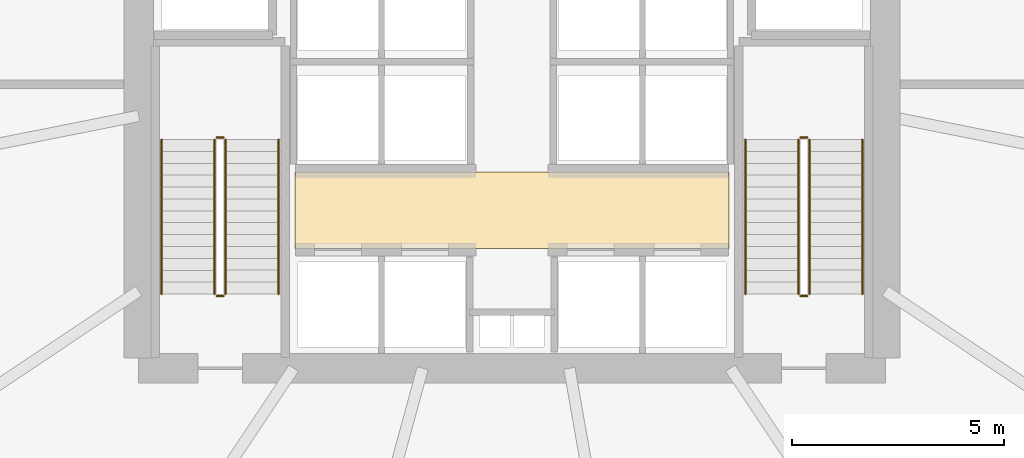
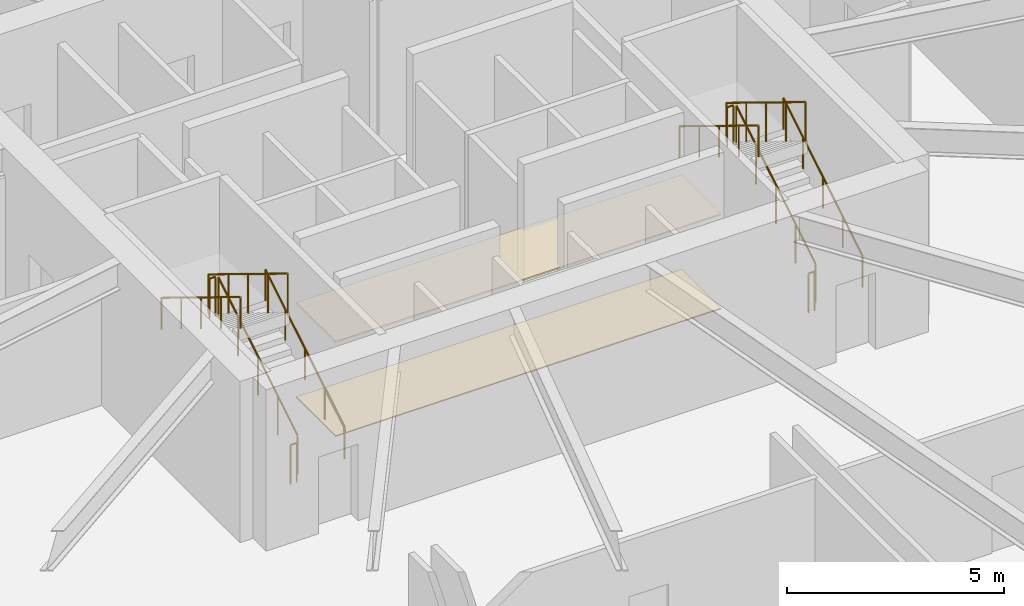
# One storey, part 31 of 34: 12 railings, 2 coverings.
"""IFC4 building model written with IfcOpenShell, lengths in metres."""

import ifcopenshell
import ifcopenshell.guid

model = None  # the IFC model being written
_history = None  # IfcOwnerHistory: only IFC2X3 demands one
_inside = {}  # id of a spatial element -> (the spatial element, [elements in it])
_under = {}  # id of a project, library or spatial element -> (it, [spatial elements below it])
_declared = {}  # id of a project -> (the project, [libraries it declares])
_typed = {}  # id of a type object -> (the type object, [elements of that type])
_made_of = {}  # id of a material, layer set ... -> (it, [elements and type objects made of it])


def new_model(schema):
    """Start an empty IFC model of exactly this schema.

    Asked for "IFC4X3", IfcOpenShell would pick the latest addendum, in which some entities
    have other attributes; the version numbers below select the first issue.
    IFC2X3 requires an IfcOwnerHistory on every rooted entity: one is made here for all.
    """
    global model, _history
    if schema == "IFC4X3":
        model = ifcopenshell.file(schema_version=(4, 3, 0, 0))
    else:
        model = ifcopenshell.file(schema=schema)
    _inside.clear()
    _under.clear()
    _declared.clear()
    _typed.clear()
    _made_of.clear()
    _history = None
    if model.schema == "IFC2X3":
        org = make("IfcOrganization", Name="unknown")
        user = make(
            "IfcPersonAndOrganization",
            ThePerson=make("IfcPerson", FamilyName="unknown"),
            TheOrganization=org,
        )
        app = make(
            "IfcApplication",
            ApplicationDeveloper=org,
            Version="unknown",
            ApplicationFullName="unknown",
            ApplicationIdentifier="unknown",
        )
        _history = make(
            "IfcOwnerHistory",
            OwningUser=user,
            OwningApplication=app,
            ChangeAction="ADDED",
            CreationDate=0,
        )
    return model


def make(cls, **values):
    """One entity of the class cls with the attributes given. An attribute that is None is left unset."""
    return model.create_entity(
        cls, **{name: value for name, value in values.items() if value is not None}
    )


def rooted(cls, **values):
    """An entity with a GlobalId (a new one), such as an element, a storey or a relation."""
    return make(cls, GlobalId=ifcopenshell.guid.new(), OwnerHistory=_history, **values)


def si_unit(unit_type, name, prefix=None):
    """IfcSIUnit, for example si_unit("LENGTHUNIT", "METRE", prefix="MILLI")."""
    return make("IfcSIUnit", UnitType=unit_type, Prefix=prefix, Name=name)


def assignment(units):
    """IfcUnitAssignment: the units of a project."""
    return None if units is None else make("IfcUnitAssignment", Units=units)


def point(xyz):
    """IfcCartesianPoint."""
    return None if xyz is None else make("IfcCartesianPoint", Coordinates=xyz)


def direction(xyz):
    """IfcDirection."""
    return None if xyz is None else make("IfcDirection", DirectionRatios=xyz)


def frame(location, z_axis=None, x_axis=None):
    """IfcAxis2Placement3D, a coordinate frame: its origin and axes. An axis left out is left unset."""
    return make(
        "IfcAxis2Placement3D",
        Location=point(location),
        Axis=direction(z_axis),
        RefDirection=direction(x_axis),
    )


def frame_2d(location, x_axis=None):
    """IfcAxis2Placement2D, a coordinate frame in the plane: its origin and x axis."""
    return make(
        "IfcAxis2Placement2D", Location=point(location), RefDirection=direction(x_axis)
    )


def origin():
    """The frame at (0, 0, 0) with its axes left unset."""
    return frame((0.0, 0.0, 0.0))


def origin_2d():
    """The frame at (0, 0) in the plane with its x axis left unset."""
    return frame_2d((0.0, 0.0))


def place(relative_to, where):
    """IfcLocalPlacement: puts the frame where relative to a parent placement (None: the world)."""
    return make(
        "IfcLocalPlacement", PlacementRelTo=relative_to, RelativePlacement=where
    )


def context(
    kind, dimensions, precision=None, world=None, true_north=None, identifier=None
):
    """IfcGeometricRepresentationContext, for example the 3D "Model" context."""
    return make(
        "IfcGeometricRepresentationContext",
        ContextIdentifier=identifier,
        ContextType=kind,
        CoordinateSpaceDimension=dimensions,
        Precision=precision,
        WorldCoordinateSystem=world,
        TrueNorth=true_north,
    )


def subcontext(parent, identifier, kind, view, scale=None):
    """IfcGeometricRepresentationSubContext, for example "Body" below "Model"."""
    return make(
        "IfcGeometricRepresentationSubContext",
        ContextIdentifier=identifier,
        ContextType=kind,
        ParentContext=parent,
        TargetScale=scale,
        TargetView=view,
    )


def project(units=None, contexts=None):
    """IfcProject with its units and contexts."""
    return rooted(
        "IfcProject",
        Name="project",
        RepresentationContexts=contexts,
        UnitsInContext=assignment(units),
    )


def spatial(cls, under=None, at=None, **own):
    """A site, building, storey or space (cls), placed at a placement, below another one or the project."""
    s = rooted(cls, ObjectPlacement=at, **own)
    if under is not None:
        _under.setdefault(under.id(), (under, []))[1].append(s)
    return s


def polyline(points):
    """IfcPolyline through the points."""
    return make("IfcPolyline", Points=[point(p) for p in points])


def profile(cls, at=None, kind="AREA", **sizes):
    """A parametric profile (cls). Its sizes go by their IFC names, for example OverallWidth=200.0."""
    return make(cls, ProfileType=kind, Position=at, **sizes)


def circle(**sizes):
    """IfcCircleProfileDef."""
    return profile("IfcCircleProfileDef", **sizes)


def outline(outer, holes=None, kind="AREA"):
    """IfcArbitraryClosedProfileDef: a profile drawn as a closed curve; with holes, ...WithVoids."""
    if holes is None:
        return make("IfcArbitraryClosedProfileDef", ProfileType=kind, OuterCurve=outer)
    return make(
        "IfcArbitraryProfileDefWithVoids",
        ProfileType=kind,
        OuterCurve=outer,
        InnerCurves=holes,
    )


def extrude(swept, where, along, depth):
    """IfcExtrudedAreaSolid: the profile swept, set in the frame where, extruded along a direction by depth."""
    return make(
        "IfcExtrudedAreaSolid",
        SweptArea=swept,
        Position=where,
        ExtrudedDirection=direction(along),
        Depth=depth,
    )


def shape(context_of_items, identifier, shape_type, items):
    """IfcShapeRepresentation: the items that make up one representation, for example the "Body"."""
    return make(
        "IfcShapeRepresentation",
        ContextOfItems=context_of_items,
        RepresentationIdentifier=identifier,
        RepresentationType=shape_type,
        Items=items,
    )


def material(Name=None, Category=None):
    """IfcMaterial."""
    return make("IfcMaterial", Name=Name, Category=Category)


def layer(
    of_material, thickness, ventilated=None, Name=None, Category=None, Priority=None
):
    """IfcMaterialLayer: one layer of a wall or slab, of a material (None: an air gap)."""
    return make(
        "IfcMaterialLayer",
        Material=of_material,
        LayerThickness=thickness,
        IsVentilated=ventilated,
        Name=Name,
        Category=Category,
        Priority=Priority,
    )


def layer_set(layers, Name=None):
    """IfcMaterialLayerSet."""
    return make("IfcMaterialLayerSet", MaterialLayers=layers, LayerSetName=Name)


def made_of(thing, what):
    """Note that an element or type object is made of a material, layer set ...; save() writes the relation."""
    if what is not None:
        _made_of.setdefault(what.id(), (what, []))[1].append(thing)
    return thing


def type_object(cls, material=None, **own):
    """A type object (cls), such as IfcWallType, which elements share."""
    return made_of(rooted(cls, **own), material)


def element(
    cls,
    number,
    at=None,
    inside=None,
    cuts=None,
    type_object=None,
    material=None,
    context=None,
    identifier="Body",
    shape_type=None,
    held_by="IfcProductDefinitionShape",
    body=None,
    shapes=None,
    **own,
):
    """One element of the class cls, such as IfcWall. Its Tag is "e" and its number.

    at: its placement. inside: the storey or other place that contains it. cuts: it is an
    opening in that element (IfcRelVoidsElement). A single representation is given by context,
    identifier, shape_type and body (its items); several are given by shapes. held_by: the class
    of the entity that holds the representations. save() writes the other relations.
    """
    e = rooted(cls, Tag="e%d" % number, ObjectPlacement=at, **own)
    if body is not None:
        shapes = [shape(context, identifier, shape_type, body)]
    if shapes is not None:
        e.Representation = make(held_by, Representations=shapes)
    if inside is not None:
        _inside.setdefault(inside.id(), (inside, []))[1].append(e)
    if cuts is not None:
        rooted(
            "IfcRelVoidsElement", RelatingBuildingElement=cuts, RelatedOpeningElement=e
        )
    if type_object is not None:
        _typed.setdefault(type_object.id(), (type_object, []))[1].append(e)
    return made_of(e, material)


def aggregate(whole, parts):
    """IfcRelAggregates: a whole, such as a stair, and the parts it consists of."""
    return rooted("IfcRelAggregates", RelatingObject=whole, RelatedObjects=parts)


def save(model, path):
    """Write the relations noted so far, then the file.

    IfcRelAggregates (storeys below a building ...), IfcRelContainedInSpatialStructure (elements
    in a storey), IfcRelDefinesByType, IfcRelAssociatesMaterial and IfcRelDeclares: one each for
    every whole, place, type object, material and project.
    """
    for whole, parts in _under.values():
        aggregate(whole, parts)
    for where, things in _inside.values():
        rooted(
            "IfcRelContainedInSpatialStructure",
            RelatedElements=things,
            RelatingStructure=where,
        )
    for kind, things in _typed.values():
        rooted("IfcRelDefinesByType", RelatedObjects=things, RelatingType=kind)
    for what, things in _made_of.values():
        rooted("IfcRelAssociatesMaterial", RelatedObjects=things, RelatingMaterial=what)
    for by, libraries in _declared.values():
        rooted("IfcRelDeclares", RelatingContext=by, RelatedDefinitions=libraries)
    model.write(path)


model = new_model("IFC4")

# Units and contexts
model_context = context("Model", 3, precision=1e-05, world=origin(), true_north=direction((0.0, 1.0)))
body_context = subcontext(model_context, "Body", "Model", "MODEL_VIEW")
ifc_project = project(units=[si_unit("LENGTHUNIT", "METRE"), si_unit("AREAUNIT", "SQUARE_METRE"), si_unit("VOLUMEUNIT", "CUBIC_METRE"), si_unit("PLANEANGLEUNIT", "RADIAN"), si_unit("MASSUNIT", "GRAM", prefix="KILO"), si_unit("THERMODYNAMICTEMPERATUREUNIT", "KELVIN")], contexts=[model_context])

# Site, building, storey
site_placement = place(None, origin())
site = spatial("IfcSite", under=ifc_project, at=site_placement, CompositionType="ELEMENT")
building_placement = place(site_placement, origin())
building = spatial("IfcBuilding", under=site, at=building_placement, Name="Kethvar Cultural Tower", CompositionType="ELEMENT")
storey_placement = place(building_placement, frame((0.0, 0.0, 14.800048828125)))
storey = spatial("IfcBuildingStorey", under=building, at=storey_placement, Name="L03", CompositionType="ELEMENT", Elevation=14.800048828125)

# Coverings
ifc_material_1 = material(Name="Acoustic Mineral Fibre Ceiling")
ifc_layer_1 = layer(ifc_material_1, 0.0400390625, Name="Acoustic Mineral Fibre Ceiling")
ifc_layer_set_1 = layer_set([ifc_layer_1], Name="Acoustic Mineral Fibre Ceiling (40 mm)")
covering_type_1 = type_object("IfcCoveringType", Name="CV-ACOUSTIC-CEIL", PredefinedType="CEILING", material=ifc_layer_set_1)
covering_1_placement = place(storey_placement, frame((0.0, 0.0, 2.639892578125)))
element("IfcCovering", 1, at=covering_1_placement, inside=storey, type_object=covering_type_1, Name="L03 Lift Lobby Acoustic Ceiling", PredefinedType="CEILING", context=body_context, shape_type="SweptSolid", body=[
    extrude(outline(polyline([(41.679931640625, 22.919921875), (51.919921875, 22.919921875), (51.919921875, 24.72998046875), (41.679931640625, 24.72998046875), (41.679931640625, 22.919921875)])), origin(), (0.0, 0.0, 1.0), 0.0400390625),
])
ifc_material_2 = material(Name="Honed Warm Limestone", Category="masonry")
ifc_layer_2 = layer(ifc_material_2, 0.030029296875, Name="Honed Warm Limestone", Category="masonry")
ifc_layer_set_2 = layer_set([ifc_layer_2], Name="Honed Warm Limestone (30 mm)")
covering_type_2 = type_object("IfcCoveringType", Name="CV-STONE-FLOOR", PredefinedType="FLOORING", material=ifc_layer_set_2)
covering_2_placement = place(storey_placement, origin())
element("IfcCovering", 2, at=covering_2_placement, inside=storey, type_object=covering_type_2, Name="L03 Lift Lobby Floor Finish", PredefinedType="FLOORING", context=body_context, shape_type="SweptSolid", body=[
    extrude(outline(polyline([(41.679931640625, 22.919921875), (51.919921875, 22.919921875), (51.919921875, 24.72998046875), (41.679931640625, 24.72998046875), (41.679931640625, 22.919921875)])), origin(), (0.0, 0.0, 1.0), 0.030029296875),
])

# Railings
ifc_material_3 = material(Name="Steel S355J2", Category="steel")
railing_type_1 = type_object("IfcRailingType", Name="RL-STAIR-GUARD", PredefinedType="BALUSTRADE", material=ifc_material_3)
railing_1_placement = place(storey_placement, frame((40.050048828125, 21.85009765625, 0.17138671875)))
element("IfcRailing", 3, at=railing_1_placement, inside=storey, type_object=railing_type_1, Name="L03 ST-01 stair guard 1", PredefinedType="BALUSTRADE", context=body_context, shape_type="SweptSolid", body=[
    extrude(circle(Radius=0.02392578125, at=origin_2d()), frame((0.0, 0.0, 1.09619140625), z_axis=(0.0, 0.852850264322, 0.5221555579), x_axis=(-1.0, 0.0, 0.0)), (0.0, 0.0, 1.0), 4.267822265625),
    extrude(circle(Radius=0.02099609375, at=origin_2d()), origin(), (0.0, 0.0, 1.0), 1.072021484375),
    extrude(circle(Radius=0.02099609375, at=origin_2d()), frame((0.0, 0.909912109375, 0.55712890625)), (0.0, 0.0, 1.0), 1.072021484375),
    extrude(circle(Radius=0.02099609375, at=origin_2d()), frame((0.0, 1.81982421875, 1.1142578125)), (0.0, 0.0, 1.0), 1.072021484375),
    extrude(circle(Radius=0.02099609375, at=origin_2d()), frame((0.0, 2.72998046875, 1.67138671875)), (0.0, 0.0, 1.0), 1.072021484375),
    extrude(circle(Radius=0.02099609375, at=origin_2d()), frame((0.0, 3.639892578125, 2.228515625)), (0.0, 0.0, 1.0), 1.072021484375),
])
railing_2_placement = place(storey_placement, frame((40.0, 25.5400390625, 2.39990234375)))
element("IfcRailing", 4, at=railing_2_placement, inside=storey, type_object=railing_type_1, Name="L03 ST-01 stair guard 2", PredefinedType="BALUSTRADE", context=body_context, shape_type="SweptSolid", body=[
    extrude(circle(Radius=0.02392578125, at=origin_2d()), frame((0.0, 0.0, 1.09619140625), z_axis=(-1.0, 0.0, 0.0), x_axis=(0.0, -1.0, 0.0)), (0.0, 0.0, 1.0), 0.159912109375),
    extrude(circle(Radius=0.02099609375, at=origin_2d()), origin(), (0.0, 0.0, 1.0), 1.072021484375),
    extrude(circle(Radius=0.02099609375, at=origin_2d()), frame((-0.159912109375, 0.0, 0.0)), (0.0, 0.0, 1.0), 1.072021484375),
])
railing_3_placement = place(storey_placement, frame((39.7900390625, 25.489990234375, 2.5712890625)))
element("IfcRailing", 5, at=railing_3_placement, inside=storey, type_object=railing_type_1, Name="L03 ST-01 stair guard 3", PredefinedType="BALUSTRADE", context=body_context, shape_type="SweptSolid", body=[
    extrude(circle(Radius=0.02392578125, at=origin_2d()), frame((0.0, 0.0, 1.09619140625), z_axis=(0.0, -0.852824790078, 0.522197163366), x_axis=(1.0, 0.0, 0.0)), (0.0, 0.0, 1.0), 4.26806640625),
    extrude(circle(Radius=0.02099609375, at=origin_2d()), origin(), (0.0, 0.0, 1.0), 1.072021484375),
    extrude(circle(Radius=0.02099609375, at=origin_2d()), frame((0.0, -0.909912109375, 0.55712890625)), (0.0, 0.0, 1.0), 1.072021484375),
    extrude(circle(Radius=0.02099609375, at=origin_2d()), frame((0.0, -1.81982421875, 1.1142578125)), (0.0, 0.0, 1.0), 1.072021484375),
    extrude(circle(Radius=0.02099609375, at=origin_2d()), frame((0.0, -2.72998046875, 1.671630859375)), (0.0, 0.0, 1.0), 1.072021484375),
    extrude(circle(Radius=0.02099609375, at=origin_2d()), frame((0.0, -3.639892578125, 2.228759765625)), (0.0, 0.0, 1.0), 1.072021484375),
])
railing_4_placement = place(storey_placement, frame((40.0, 21.800048828125, 0.0)))
element("IfcRailing", 6, at=railing_4_placement, inside=storey, type_object=railing_type_1, Name="L03 ST-01 stair guard 4", PredefinedType="BALUSTRADE", context=body_context, shape_type="SweptSolid", body=[
    extrude(circle(Radius=0.02392578125, at=origin_2d()), frame((0.0, 0.0, 1.09619140625), z_axis=(-1.0, 0.0, 0.0), x_axis=(0.0, -1.0, 0.0)), (0.0, 0.0, 1.0), 0.159912109375),
    extrude(circle(Radius=0.02099609375, at=origin_2d()), origin(), (0.0, 0.0, 1.0), 1.072021484375),
    extrude(circle(Radius=0.02099609375, at=origin_2d()), frame((-0.159912109375, 0.0, 0.0)), (0.0, 0.0, 1.0), 1.072021484375),
])
railing_5_placement = place(storey_placement, frame((53.81005859375, 21.85009765625, 0.17138671875)))
element("IfcRailing", 7, at=railing_5_placement, inside=storey, type_object=railing_type_1, Name="L03 ST-02 stair guard 1", PredefinedType="BALUSTRADE", context=body_context, shape_type="SweptSolid", body=[
    extrude(circle(Radius=0.02392578125, at=origin_2d()), frame((0.0, 0.0, 1.09619140625), z_axis=(0.0, 0.852850264322, 0.5221555579), x_axis=(-1.0, 0.0, 0.0)), (0.0, 0.0, 1.0), 4.267822265625),
    extrude(circle(Radius=0.02099609375, at=origin_2d()), origin(), (0.0, 0.0, 1.0), 1.072021484375),
    extrude(circle(Radius=0.02099609375, at=origin_2d()), frame((0.0, 0.909912109375, 0.55712890625)), (0.0, 0.0, 1.0), 1.072021484375),
    extrude(circle(Radius=0.02099609375, at=origin_2d()), frame((0.0, 1.81982421875, 1.1142578125)), (0.0, 0.0, 1.0), 1.072021484375),
    extrude(circle(Radius=0.02099609375, at=origin_2d()), frame((0.0, 2.72998046875, 1.67138671875)), (0.0, 0.0, 1.0), 1.072021484375),
    extrude(circle(Radius=0.02099609375, at=origin_2d()), frame((0.0, 3.639892578125, 2.228515625)), (0.0, 0.0, 1.0), 1.072021484375),
])
railing_6_placement = place(storey_placement, frame((53.760009765625, 25.5400390625, 2.39990234375)))
element("IfcRailing", 8, at=railing_6_placement, inside=storey, type_object=railing_type_1, Name="L03 ST-02 stair guard 2", PredefinedType="BALUSTRADE", context=body_context, shape_type="SweptSolid", body=[
    extrude(circle(Radius=0.02392578125, at=origin_2d()), frame((0.0, 0.0, 1.09619140625), z_axis=(-1.0, 0.0, 0.0), x_axis=(0.0, -1.0, 0.0)), (0.0, 0.0, 1.0), 0.159912109375),
    extrude(circle(Radius=0.02099609375, at=origin_2d()), origin(), (0.0, 0.0, 1.0), 1.072021484375),
    extrude(circle(Radius=0.02099609375, at=origin_2d()), frame((-0.159912109375, 0.0, 0.0)), (0.0, 0.0, 1.0), 1.072021484375),
])
railing_7_placement = place(storey_placement, frame((53.550048828125, 25.489990234375, 2.5712890625)))
element("IfcRailing", 9, at=railing_7_placement, inside=storey, type_object=railing_type_1, Name="L03 ST-02 stair guard 3", PredefinedType="BALUSTRADE", context=body_context, shape_type="SweptSolid", body=[
    extrude(circle(Radius=0.02392578125, at=origin_2d()), frame((0.0, 0.0, 1.09619140625), z_axis=(0.0, -0.852824790078, 0.522197163366), x_axis=(1.0, 0.0, 0.0)), (0.0, 0.0, 1.0), 4.26806640625),
    extrude(circle(Radius=0.02099609375, at=origin_2d()), origin(), (0.0, 0.0, 1.0), 1.072021484375),
    extrude(circle(Radius=0.02099609375, at=origin_2d()), frame((0.0, -0.909912109375, 0.55712890625)), (0.0, 0.0, 1.0), 1.072021484375),
    extrude(circle(Radius=0.02099609375, at=origin_2d()), frame((0.0, -1.81982421875, 1.1142578125)), (0.0, 0.0, 1.0), 1.072021484375),
    extrude(circle(Radius=0.02099609375, at=origin_2d()), frame((0.0, -2.72998046875, 1.671630859375)), (0.0, 0.0, 1.0), 1.072021484375),
    extrude(circle(Radius=0.02099609375, at=origin_2d()), frame((0.0, -3.639892578125, 2.228759765625)), (0.0, 0.0, 1.0), 1.072021484375),
])
railing_8_placement = place(storey_placement, frame((53.760009765625, 21.800048828125, 0.0)))
element("IfcRailing", 10, at=railing_8_placement, inside=storey, type_object=railing_type_1, Name="L03 ST-02 stair guard 4", PredefinedType="BALUSTRADE", context=body_context, shape_type="SweptSolid", body=[
    extrude(circle(Radius=0.02392578125, at=origin_2d()), frame((0.0, 0.0, 1.09619140625), z_axis=(-1.0, 0.0, 0.0), x_axis=(0.0, -1.0, 0.0)), (0.0, 0.0, 1.0), 0.159912109375),
    extrude(circle(Radius=0.02099609375, at=origin_2d()), origin(), (0.0, 0.0, 1.0), 1.072021484375),
    extrude(circle(Radius=0.02099609375, at=origin_2d()), frame((-0.159912109375, 0.0, 0.0)), (0.0, 0.0, 1.0), 1.072021484375),
])
railing_type_2 = type_object("IfcRailingType", Name="RL-STAIR-HANDRAIL", PredefinedType="HANDRAIL", material=ifc_material_3)
railing_9_placement = place(storey_placement, frame((41.300048828125, 21.85009765625, 0.17138671875)))
element("IfcRailing", 11, at=railing_9_placement, inside=storey, type_object=railing_type_2, Name="L03 ST-01 stair handrail 1", PredefinedType="HANDRAIL", context=body_context, shape_type="SweptSolid", body=[
    extrude(circle(Radius=0.02392578125, at=origin_2d()), frame((0.0, 0.0, 0.8759765625), z_axis=(0.0, 0.852850264322, 0.5221555579), x_axis=(-1.0, 0.0, 0.0)), (0.0, 0.0, 1.0), 4.267822265625),
    extrude(circle(Radius=0.02099609375, at=origin_2d()), origin(), (0.0, 0.0, 1.0), 0.851806640625),
    extrude(circle(Radius=0.02099609375, at=origin_2d()), frame((0.0, 0.909912109375, 0.55712890625)), (0.0, 0.0, 1.0), 0.851806640625),
    extrude(circle(Radius=0.02099609375, at=origin_2d()), frame((0.0, 1.81982421875, 1.1142578125)), (0.0, 0.0, 1.0), 0.851806640625),
    extrude(circle(Radius=0.02099609375, at=origin_2d()), frame((0.0, 2.72998046875, 1.67138671875)), (0.0, 0.0, 1.0), 0.851806640625),
    extrude(circle(Radius=0.02099609375, at=origin_2d()), frame((0.0, 3.639892578125, 2.228515625)), (0.0, 0.0, 1.0), 0.851806640625),
])
railing_10_placement = place(storey_placement, frame((38.5400390625, 25.489990234375, 2.5712890625)))
element("IfcRailing", 12, at=railing_10_placement, inside=storey, type_object=railing_type_2, Name="L03 ST-01 stair handrail 2", PredefinedType="HANDRAIL", context=body_context, shape_type="SweptSolid", body=[
    extrude(circle(Radius=0.02392578125, at=origin_2d()), frame((0.0, 0.0, 0.8759765625), z_axis=(0.0, -0.852824790078, 0.522197163366), x_axis=(1.0, 0.0, 0.0)), (0.0, 0.0, 1.0), 4.26806640625),
    extrude(circle(Radius=0.02099609375, at=origin_2d()), origin(), (0.0, 0.0, 1.0), 0.851806640625),
    extrude(circle(Radius=0.02099609375, at=origin_2d()), frame((0.0, -0.909912109375, 0.55712890625)), (0.0, 0.0, 1.0), 0.851806640625),
    extrude(circle(Radius=0.02099609375, at=origin_2d()), frame((0.0, -1.81982421875, 1.1142578125)), (0.0, 0.0, 1.0), 0.851806640625),
    extrude(circle(Radius=0.02099609375, at=origin_2d()), frame((0.0, -2.72998046875, 1.671630859375)), (0.0, 0.0, 1.0), 0.851806640625),
    extrude(circle(Radius=0.02099609375, at=origin_2d()), frame((0.0, -3.639892578125, 2.228759765625)), (0.0, 0.0, 1.0), 0.851806640625),
])
railing_11_placement = place(storey_placement, frame((55.06005859375, 21.85009765625, 0.17138671875)))
element("IfcRailing", 13, at=railing_11_placement, inside=storey, type_object=railing_type_2, Name="L03 ST-02 stair handrail 1", PredefinedType="HANDRAIL", context=body_context, shape_type="SweptSolid", body=[
    extrude(circle(Radius=0.02392578125, at=origin_2d()), frame((0.0, 0.0, 0.8759765625), z_axis=(0.0, 0.852850264322, 0.5221555579), x_axis=(-1.0, 0.0, 0.0)), (0.0, 0.0, 1.0), 4.267822265625),
    extrude(circle(Radius=0.02099609375, at=origin_2d()), origin(), (0.0, 0.0, 1.0), 0.851806640625),
    extrude(circle(Radius=0.02099609375, at=origin_2d()), frame((0.0, 0.909912109375, 0.55712890625)), (0.0, 0.0, 1.0), 0.851806640625),
    extrude(circle(Radius=0.02099609375, at=origin_2d()), frame((0.0, 1.81982421875, 1.1142578125)), (0.0, 0.0, 1.0), 0.851806640625),
    extrude(circle(Radius=0.02099609375, at=origin_2d()), frame((0.0, 2.72998046875, 1.67138671875)), (0.0, 0.0, 1.0), 0.851806640625),
    extrude(circle(Radius=0.02099609375, at=origin_2d()), frame((0.0, 3.639892578125, 2.228515625)), (0.0, 0.0, 1.0), 0.851806640625),
])
railing_12_placement = place(storey_placement, frame((52.300048828125, 25.489990234375, 2.5712890625)))
element("IfcRailing", 14, at=railing_12_placement, inside=storey, type_object=railing_type_2, Name="L03 ST-02 stair handrail 2", PredefinedType="HANDRAIL", context=body_context, shape_type="SweptSolid", body=[
    extrude(circle(Radius=0.02392578125, at=origin_2d()), frame((0.0, 0.0, 0.8759765625), z_axis=(0.0, -0.852824790078, 0.522197163366), x_axis=(1.0, 0.0, 0.0)), (0.0, 0.0, 1.0), 4.26806640625),
    extrude(circle(Radius=0.02099609375, at=origin_2d()), origin(), (0.0, 0.0, 1.0), 0.851806640625),
    extrude(circle(Radius=0.02099609375, at=origin_2d()), frame((0.0, -0.909912109375, 0.55712890625)), (0.0, 0.0, 1.0), 0.851806640625),
    extrude(circle(Radius=0.02099609375, at=origin_2d()), frame((0.0, -1.81982421875, 1.1142578125)), (0.0, 0.0, 1.0), 0.851806640625),
    extrude(circle(Radius=0.02099609375, at=origin_2d()), frame((0.0, -2.72998046875, 1.671630859375)), (0.0, 0.0, 1.0), 0.851806640625),
    extrude(circle(Radius=0.02099609375, at=origin_2d()), frame((0.0, -3.639892578125, 2.228759765625)), (0.0, 0.0, 1.0), 0.851806640625),
])

save(model, "model.ifc")
